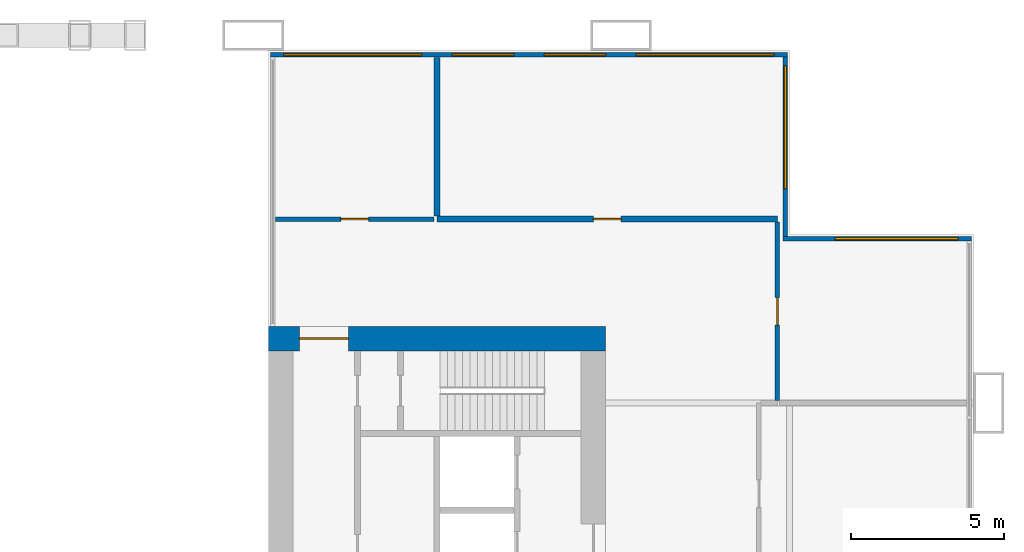
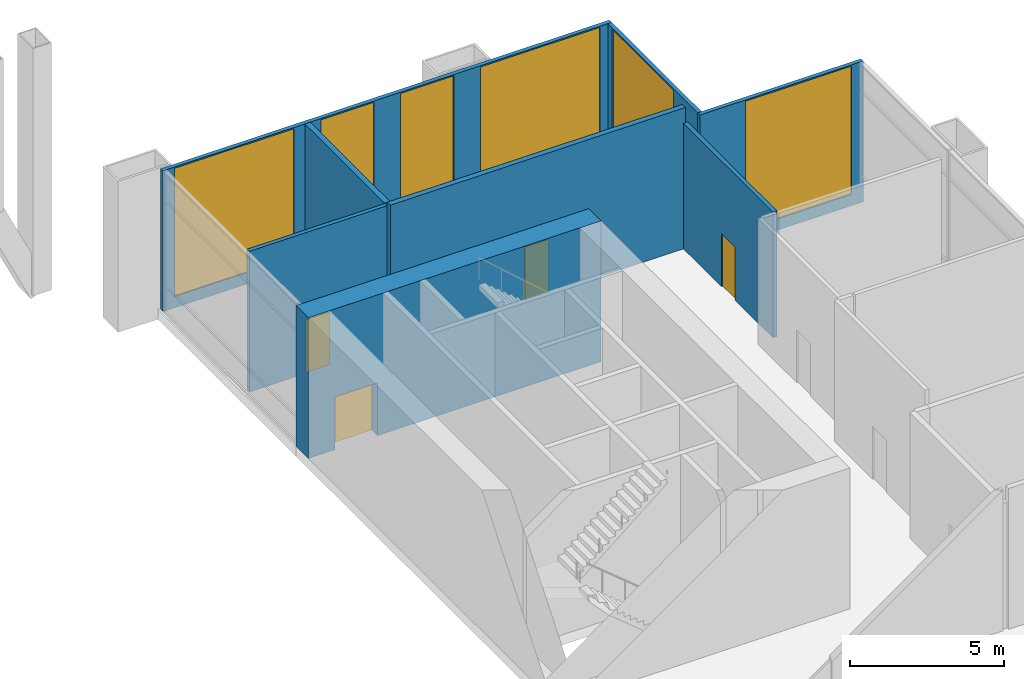
# One storey, part 22 of 25: 8 walls, 6 windows, 4 doors, 10 openings.
"""IFC4 building model written with IfcOpenShell, lengths in metres."""

from ifc_helpers import new_model, si_unit, direction, frame, frame_2d, origin, place, context, subcontext, project, spatial, rectangle, extrude, material, layer, layer_set, type_object, element, fill, save


model = new_model("IFC4")

# Units and contexts
model_context = context("Model", 3, precision=1e-05, world=origin(), true_north=direction((0.0, 1.0)))
body_context = subcontext(model_context, "Body", "Model", "MODEL_VIEW")
ifc_project = project(units=[si_unit("LENGTHUNIT", "METRE"), si_unit("AREAUNIT", "SQUARE_METRE"), si_unit("VOLUMEUNIT", "CUBIC_METRE"), si_unit("PLANEANGLEUNIT", "RADIAN"), si_unit("MASSUNIT", "GRAM", prefix="KILO")], contexts=[model_context])

# Site, building, storey
site_placement = place(None, origin())
site = spatial("IfcSite", under=ifc_project, at=site_placement, CompositionType="ELEMENT")
building_placement = place(site_placement, origin())
building = spatial("IfcBuilding", under=site, at=building_placement, Name="Kitamizu Gate Tower and Museum", CompositionType="ELEMENT")
storey_placement = place(building_placement, frame((0.0, 0.0, 12.0)))
storey = spatial("IfcBuildingStorey", under=building, at=storey_placement, Name="L02", CompositionType="ELEMENT", Elevation=12.0)

# Wall, opening, door
ifc_material_1 = material(Name="Concrete Fc60", Category="concrete")
ifc_layer_1 = layer(ifc_material_1, 0.800048828125)
ifc_layer_set_1 = layer_set([ifc_layer_1], Name="Concrete Fc60")
wall_type_1 = type_object("IfcWallType", Name="Core wall 800", PredefinedType="SHEAR", material=ifc_layer_set_1)
wall_1_placement = place(storey_placement, frame((59.5, 38.10009765625, 0.0), z_axis=(0.0, 0.0, 1.0), x_axis=(-1.0, 0.0, 0.0)))
wall_1 = element("IfcWall", 1, at=wall_1_placement, inside=storey, type_object=wall_type_1, Name="Core wall EN", PredefinedType="SHEAR", context=body_context, shape_type="SweptSolid", body=[
    extrude(rectangle(XDim=11.0, YDim=0.800048828125, at=frame_2d((5.5, 0.0))), origin(), (0.0, 0.0, 1.0), 5.60009765625),
])
opening_1_placement = place(wall_1_placement, frame((8.39990234375, 0.0, 0.0)))
opening_1 = element("IfcOpeningElement", 2, at=opening_1_placement, cuts=wall_1, Name="Opening L02-034", PredefinedType="OPENING", context=body_context, shape_type="SweptSolid", body=[
    extrude(rectangle(XDim=1.60009765625, YDim=2.10009765625, at=frame_2d((0.800048828125, 1.050048828125))), frame((0.0, 0.41015625, 0.0), z_axis=(0.0, -1.0, 0.0), x_axis=(1.0, 0.0, 0.0)), (0.0, 0.0, 1.0), 0.820068359375),
])
ifc_material_2 = material(Name="Timber door set", Category="wood")
door_type_1 = type_object("IfcDoorType", Name="Entrance door 1600", OperationType="DOUBLE_DOOR_SINGLE_SWING", PredefinedType="DOOR", material=ifc_material_2)
door_1_placement = place(opening_1_placement, origin())
door_1 = element("IfcDoor", 3, at=door_1_placement, inside=storey, type_object=door_type_1, Name="Lobby door L02-034", OperationType="DOUBLE_DOOR_SINGLE_SWING", OverallHeight=2.10009765625, OverallWidth=1.60009765625, PredefinedType="DOOR", context=body_context, shape_type="SweptSolid", body=[
    extrude(rectangle(XDim=1.60009765625, YDim=2.10009765625, at=frame_2d((0.800048828125, 1.050048828125))), frame((0.0, 0.02490234375, 0.0), z_axis=(0.0, -1.0, 0.0), x_axis=(1.0, 0.0, 0.0)), (0.0, 0.0, 1.0), 0.050048828125),
])
fill(opening_1, door_1)

ifc_material_3 = material(Name="Gypsum board on galvanised stud")
ifc_layer_2 = layer(ifc_material_3, 0.14990234375)
ifc_layer_set_2 = layer_set([ifc_layer_2], Name="Gypsum board on galvanised stud")
wall_type_2 = type_object("IfcWallType", Name="Partition 150", PredefinedType="PARTITIONING", material=ifc_layer_set_2)
wall_2_placement = place(storey_placement, frame((65.10009765625, 36.074951171875, 0.0), z_axis=(0.0, 0.0, 1.0), x_axis=(0.0, 1.0, 0.0)))
wall_2 = element("IfcWall", 4, at=wall_2_placement, inside=storey, type_object=wall_type_2, Name="Partition L02-020", PredefinedType="PARTITIONING", context=body_context, shape_type="SweptSolid", body=[
    extrude(rectangle(XDim=5.824951171875, YDim=0.14990234375, at=frame_2d((2.91259765625, 0.0))), origin(), (0.0, 0.0, 1.0), 5.0),
])
opening_2_placement = place(wall_2_placement, frame((2.46240234375, 0.0, 0.0)))
opening_2 = element("IfcOpeningElement", 5, at=opening_2_placement, cuts=wall_2, Name="Opening L02-006", PredefinedType="OPENING", context=body_context, shape_type="SweptSolid", body=[
    extrude(rectangle(XDim=0.89990234375, YDim=2.10009765625, at=frame_2d((0.449951171875, 1.050048828125))), frame((0.0, 0.0849609375, 0.0), z_axis=(0.0, -1.0, 0.0), x_axis=(1.0, 0.0, 0.0)), (0.0, 0.0, 1.0), 0.169921875),
])
ifc_material_4 = material(Name="Timber door set", Category="wood")
door_type_2 = type_object("IfcDoorType", Name="Room door 900", OperationType="NOTDEFINED", PredefinedType="DOOR", material=ifc_material_4)
door_2_placement = place(opening_2_placement, frame((0.89990234375, 0.0, 0.0), x_axis=(-1.0, 0.0, 0.0)))
door_2 = element("IfcDoor", 6, at=door_2_placement, inside=storey, type_object=door_type_2, Name="Door L02-006", OperationType="SINGLE_SWING_LEFT", OverallHeight=2.10009765625, OverallWidth=0.89990234375, PredefinedType="DOOR", context=body_context, shape_type="SweptSolid", body=[
    extrude(rectangle(XDim=0.89990234375, YDim=2.10009765625, at=frame_2d((0.449951171875, 1.050048828125))), frame((0.0, 0.02490234375, 0.0), z_axis=(0.0, -1.0, 0.0), x_axis=(1.0, 0.0, 0.0)), (0.0, 0.0, 1.0), 0.050048828125),
])
fill(opening_2, door_2)

wall_3_placement = place(storey_placement, frame((53.89990234375, 42.0, 0.0), z_axis=(0.0, 0.0, 1.0), x_axis=(-1.0, 0.0, 0.0)))
wall_3 = element("IfcWall", 7, at=wall_3_placement, inside=storey, type_object=wall_type_2, Name="Partition L02-021", PredefinedType="PARTITIONING", context=body_context, shape_type="SweptSolid", body=[
    extrude(rectangle(XDim=5.179931640625, YDim=0.14990234375, at=frame_2d((2.58984375, 0.0))), origin(), (0.0, 0.0, 1.0), 5.60009765625),
])
opening_3_placement = place(wall_3_placement, frame((2.139892578125, 0.0, 0.0)))
opening_3 = element("IfcOpeningElement", 8, at=opening_3_placement, cuts=wall_3, Name="Opening L02-007", PredefinedType="OPENING", context=body_context, shape_type="SweptSolid", body=[
    extrude(rectangle(XDim=0.89990234375, YDim=2.10009765625, at=frame_2d((0.449951171875, 1.050048828125))), frame((0.0, 0.0849609375, 0.0), z_axis=(0.0, -1.0, 0.0), x_axis=(1.0, 0.0, 0.0)), (0.0, 0.0, 1.0), 0.169921875),
])
door_3_placement = place(opening_3_placement, frame((0.89990234375, 0.0, 0.0), x_axis=(-1.0, 0.0, 0.0)))
door_3 = element("IfcDoor", 9, at=door_3_placement, inside=storey, type_object=door_type_2, Name="Door L02-007", OperationType="SINGLE_SWING_RIGHT", OverallHeight=2.10009765625, OverallWidth=0.89990234375, PredefinedType="DOOR", context=body_context, shape_type="SweptSolid", body=[
    extrude(rectangle(XDim=0.89990234375, YDim=2.10009765625, at=frame_2d((0.449951171875, 1.050048828125))), frame((0.0, 0.02490234375, 0.0), z_axis=(0.0, -1.0, 0.0), x_axis=(1.0, 0.0, 0.0)), (0.0, 0.0, 1.0), 0.050048828125),
])
fill(opening_3, door_3)

ifc_material_5 = material(Name="Gypsum board on galvanised stud")
ifc_layer_3 = layer(ifc_material_5, 0.199951171875)
ifc_layer_set_3 = layer_set([ifc_layer_3], Name="Gypsum board on galvanised stud")
wall_type_3 = type_object("IfcWallType", Name="Partition 200", PredefinedType="PARTITIONING", material=ifc_layer_set_3)
wall_4_placement = place(storey_placement, frame((65.10009765625, 42.0, 0.0), z_axis=(0.0, 0.0, 1.0), x_axis=(-1.0, 0.0, 0.0)))
wall_4 = element("IfcWall", 10, at=wall_4_placement, inside=storey, type_object=wall_type_3, Name="Partition L02-022", PredefinedType="PARTITIONING", context=body_context, shape_type="SweptSolid", body=[
    extrude(rectangle(XDim=11.10009765625, YDim=0.199951171875, at=frame_2d((5.550048828125, 0.0))), origin(), (0.0, 0.0, 1.0), 5.60009765625),
])
opening_4_placement = place(wall_4_placement, frame((5.10009765625, 0.0, 0.0)))
opening_4 = element("IfcOpeningElement", 11, at=opening_4_placement, cuts=wall_4, Name="Opening L02-008", PredefinedType="OPENING", context=body_context, shape_type="SweptSolid", body=[
    extrude(rectangle(XDim=0.89990234375, YDim=2.10009765625, at=frame_2d((0.449951171875, 1.050048828125))), frame((0.0, 0.10986328125, 0.0), z_axis=(0.0, -1.0, 0.0), x_axis=(1.0, 0.0, 0.0)), (0.0, 0.0, 1.0), 0.219970703125),
])
ifc_material_6 = material(Name="Timber door set", Category="wood")
door_type_3 = type_object("IfcDoorType", Name="Store door 900", OperationType="NOTDEFINED", PredefinedType="DOOR", material=ifc_material_6)
door_4_placement = place(opening_4_placement, frame((0.89990234375, 0.0, 0.0), x_axis=(-1.0, 0.0, 0.0)))
door_4 = element("IfcDoor", 12, at=door_4_placement, inside=storey, type_object=door_type_3, Name="Store door L02-008", OperationType="SINGLE_SWING_LEFT", OverallHeight=2.10009765625, OverallWidth=0.89990234375, PredefinedType="DOOR", context=body_context, shape_type="SweptSolid", body=[
    extrude(rectangle(XDim=0.89990234375, YDim=2.10009765625, at=frame_2d((0.449951171875, 1.050048828125))), frame((0.0, 0.02490234375, 0.0), z_axis=(0.0, -1.0, 0.0), x_axis=(1.0, 0.0, 0.0)), (0.0, 0.0, 1.0), 0.050048828125),
])
fill(opening_4, door_4)

# Wall
wall_5_placement = place(storey_placement, frame((54.0, 42.10009765625, 0.0), z_axis=(0.0, 0.0, 1.0), x_axis=(0.0, 1.0, 0.0)))
element("IfcWall", 13, at=wall_5_placement, inside=storey, type_object=wall_type_3, Name="Partition L02-030", PredefinedType="PARTITIONING", context=body_context, shape_type="SweptSolid", body=[
    extrude(rectangle(XDim=5.179931640625, YDim=0.199951171875, at=frame_2d((2.58984375, 0.0))), origin(), (0.0, 0.0, 1.0), 5.60009765625),
])

# Wall, opening, window
ifc_material_7 = material(Name="Bronze anodised aluminium frame with insulated spandrel and tinted glass", Category="aluminium")
ifc_layer_4 = layer(ifc_material_7, 0.14990234375)
ifc_layer_set_4 = layer_set([ifc_layer_4], Name="Bronze anodised aluminium frame with insulated spandrel and tinted glass")
wall_type_4 = type_object("IfcWallType", Name="WINDOW WALL 150 BRONZE FRAME EI 60", PredefinedType="ELEMENTEDWALL", material=ifc_layer_set_4)
wall_6_placement = place(storey_placement, frame((65.2900390625, 41.364990234375, 0.0), z_axis=(0.0, 0.0, 1.0), x_axis=(1.0, 0.0, 0.0)))
wall_6 = element("IfcWall", 14, at=wall_6_placement, inside=storey, type_object=wall_type_4, Name="Window wall north L02", PredefinedType="ELEMENTEDWALL", context=body_context, shape_type="SweptSolid", body=[
    extrude(rectangle(XDim=6.14990234375, YDim=0.14990234375, at=frame_2d((3.074951171875, 0.0))), origin(), (0.0, 0.0, 1.0), 5.60009765625),
])
opening_5_placement = place(wall_6_placement, frame((1.7099609375, 0.0, 0.449951171875)))
opening_5 = element("IfcOpeningElement", 15, at=opening_5_placement, cuts=wall_6, Name="Opening W22", PredefinedType="OPENING", context=body_context, shape_type="SweptSolid", body=[
    extrude(rectangle(XDim=4.0, YDim=5.10009765625, at=frame_2d((2.0, 2.550048828125))), frame((0.0, 0.0849609375, 0.0), z_axis=(0.0, -1.0, 0.0), x_axis=(1.0, 0.0, 0.0)), (0.0, 0.0, 1.0), 0.169921875),
])
ifc_material_8 = material(Name="Bronze anodised aluminium frame, tinted triple glazing", Category="aluminium")
window_type_1 = type_object("IfcWindowType", Name="WINDOW 4000 x 5100 SILL 450", PartitioningType="SINGLE_PANEL", PredefinedType="WINDOW", material=ifc_material_8)
window_1_placement = place(opening_5_placement, origin())
window_1 = element("IfcWindow", 16, at=window_1_placement, inside=storey, type_object=window_type_1, Name="Window W22 L02", OverallHeight=5.10009765625, OverallWidth=4.0, PartitioningType="SINGLE_PANEL", PredefinedType="WINDOW", context=body_context, shape_type="SweptSolid", body=[
    extrude(rectangle(XDim=4.0, YDim=5.10009765625, at=frame_2d((2.0, 2.550048828125))), frame((0.0, 0.030029296875, 0.0), z_axis=(0.0, -1.0, 0.0), x_axis=(1.0, 0.0, 0.0)), (0.0, 0.0, 1.0), 0.06005859375),
])
fill(opening_5, window_1)

wall_7_placement = place(storey_placement, frame((65.364990234375, 41.43994140625, 0.0), z_axis=(0.0, 0.0, 1.0), x_axis=(0.0, 1.0, 0.0)))
wall_7 = element("IfcWall", 17, at=wall_7_placement, inside=storey, type_object=wall_type_4, Name="Window wall east L02", PredefinedType="ELEMENTEDWALL", context=body_context, shape_type="SweptSolid", body=[
    extrude(rectangle(XDim=5.85009765625, YDim=0.14990234375, at=frame_2d((2.925048828125, 0.0))), origin(), (0.0, 0.0, 1.0), 5.60009765625),
])
opening_6_placement = place(wall_7_placement, frame((1.56005859375, 0.0, 0.449951171875)))
opening_6 = element("IfcOpeningElement", 18, at=opening_6_placement, cuts=wall_7, Name="Opening W22", PredefinedType="OPENING", context=body_context, shape_type="SweptSolid", body=[
    extrude(rectangle(XDim=4.0, YDim=5.10009765625, at=frame_2d((2.0, 2.550048828125))), frame((0.0, 0.0849609375, 0.0), z_axis=(0.0, -1.0, 0.0), x_axis=(1.0, 0.0, 0.0)), (0.0, 0.0, 1.0), 0.169921875),
])
window_2_placement = place(opening_6_placement, origin())
window_2 = element("IfcWindow", 19, at=window_2_placement, inside=storey, type_object=window_type_1, Name="Window W22 L02", OverallHeight=5.10009765625, OverallWidth=4.0, PartitioningType="SINGLE_PANEL", PredefinedType="WINDOW", context=body_context, shape_type="SweptSolid", body=[
    extrude(rectangle(XDim=4.0, YDim=5.10009765625, at=frame_2d((2.0, 2.550048828125))), frame((0.0, 0.030029296875, 0.0), z_axis=(0.0, -1.0, 0.0), x_axis=(1.0, 0.0, 0.0)), (0.0, 0.0, 1.0), 0.06005859375),
])
fill(opening_6, window_2)

# Wall, openings, windows
wall_8_placement = place(storey_placement, frame((48.56005859375, 47.364990234375, 0.0), z_axis=(0.0, 0.0, 1.0), x_axis=(1.0, 0.0, 0.0)))
wall_8 = element("IfcWall", 20, at=wall_8_placement, inside=storey, type_object=wall_type_4, Name="Window wall north L02", PredefinedType="ELEMENTEDWALL", context=body_context, shape_type="SweptSolid", body=[
    extrude(rectangle(XDim=16.8798828125, YDim=0.14990234375, at=frame_2d((8.43994140625, 0.0))), origin(), (0.0, 0.0, 1.0), 5.60009765625),
])
opening_7_placement = place(wall_8_placement, frame((0.43994140625, 0.0, 0.449951171875)))
opening_7 = element("IfcOpeningElement", 21, at=opening_7_placement, cuts=wall_8, Name="Opening W21", PredefinedType="OPENING", context=body_context, shape_type="SweptSolid", body=[
    extrude(rectangle(XDim=4.5, YDim=5.10009765625, at=frame_2d((2.25, 2.550048828125))), frame((0.0, 0.0849609375, 0.0), z_axis=(0.0, -1.0, 0.0), x_axis=(1.0, 0.0, 0.0)), (0.0, 0.0, 1.0), 0.169921875),
])
opening_8_placement = place(wall_8_placement, frame((5.93994140625, 0.0, 0.449951171875)))
opening_8 = element("IfcOpeningElement", 22, at=opening_8_placement, cuts=wall_8, Name="Opening W8", PredefinedType="OPENING", context=body_context, shape_type="SweptSolid", body=[
    extrude(rectangle(XDim=2.0, YDim=5.10009765625, at=frame_2d((1.0, 2.550048828125))), frame((0.0, 0.0849609375, 0.0), z_axis=(0.0, -1.0, 0.0), x_axis=(1.0, 0.0, 0.0)), (0.0, 0.0, 1.0), 0.169921875),
])
opening_9_placement = place(wall_8_placement, frame((8.93994140625, 0.0, 0.449951171875)))
opening_9 = element("IfcOpeningElement", 23, at=opening_9_placement, cuts=wall_8, Name="Opening W8", PredefinedType="OPENING", context=body_context, shape_type="SweptSolid", body=[
    extrude(rectangle(XDim=2.0, YDim=5.10009765625, at=frame_2d((1.0, 2.550048828125))), frame((0.0, 0.0849609375, 0.0), z_axis=(0.0, -1.0, 0.0), x_axis=(1.0, 0.0, 0.0)), (0.0, 0.0, 1.0), 0.169921875),
])
opening_10_placement = place(wall_8_placement, frame((11.93994140625, 0.0, 0.449951171875)))
opening_10 = element("IfcOpeningElement", 24, at=opening_10_placement, cuts=wall_8, Name="Opening W21", PredefinedType="OPENING", context=body_context, shape_type="SweptSolid", body=[
    extrude(rectangle(XDim=4.5, YDim=5.10009765625, at=frame_2d((2.25, 2.550048828125))), frame((0.0, 0.0849609375, 0.0), z_axis=(0.0, -1.0, 0.0), x_axis=(1.0, 0.0, 0.0)), (0.0, 0.0, 1.0), 0.169921875),
])
ifc_material_9 = material(Name="Bronze anodised aluminium frame, tinted triple glazing", Category="aluminium")
window_type_2 = type_object("IfcWindowType", Name="WINDOW 2000 x 5100 SILL 450", PartitioningType="SINGLE_PANEL", PredefinedType="WINDOW", material=ifc_material_9)
window_3_placement = place(opening_8_placement, origin())
window_3 = element("IfcWindow", 25, at=window_3_placement, inside=storey, type_object=window_type_2, Name="Window W8 L02", OverallHeight=5.10009765625, OverallWidth=2.0, PartitioningType="SINGLE_PANEL", PredefinedType="WINDOW", context=body_context, shape_type="SweptSolid", body=[
    extrude(rectangle(XDim=2.0, YDim=5.10009765625, at=frame_2d((1.0, 2.550048828125))), frame((0.0, 0.030029296875, 0.0), z_axis=(0.0, -1.0, 0.0), x_axis=(1.0, 0.0, 0.0)), (0.0, 0.0, 1.0), 0.06005859375),
])
fill(opening_8, window_3)
window_4_placement = place(opening_9_placement, origin())
window_4 = element("IfcWindow", 26, at=window_4_placement, inside=storey, type_object=window_type_2, Name="Window W8 L02", OverallHeight=5.10009765625, OverallWidth=2.0, PartitioningType="SINGLE_PANEL", PredefinedType="WINDOW", context=body_context, shape_type="SweptSolid", body=[
    extrude(rectangle(XDim=2.0, YDim=5.10009765625, at=frame_2d((1.0, 2.550048828125))), frame((0.0, 0.030029296875, 0.0), z_axis=(0.0, -1.0, 0.0), x_axis=(1.0, 0.0, 0.0)), (0.0, 0.0, 1.0), 0.06005859375),
])
fill(opening_9, window_4)
ifc_material_10 = material(Name="Bronze anodised aluminium frame, tinted triple glazing", Category="aluminium")
window_type_3 = type_object("IfcWindowType", Name="WINDOW 4500 x 5100 SILL 450", PartitioningType="SINGLE_PANEL", PredefinedType="WINDOW", material=ifc_material_10)
window_5_placement = place(opening_7_placement, origin())
window_5 = element("IfcWindow", 27, at=window_5_placement, inside=storey, type_object=window_type_3, Name="Window W21 L02", OverallHeight=5.10009765625, OverallWidth=4.5, PartitioningType="SINGLE_PANEL", PredefinedType="WINDOW", context=body_context, shape_type="SweptSolid", body=[
    extrude(rectangle(XDim=4.5, YDim=5.10009765625, at=frame_2d((2.25, 2.550048828125))), frame((0.0, 0.030029296875, 0.0), z_axis=(0.0, -1.0, 0.0), x_axis=(1.0, 0.0, 0.0)), (0.0, 0.0, 1.0), 0.06005859375),
])
fill(opening_7, window_5)
window_6_placement = place(opening_10_placement, origin())
window_6 = element("IfcWindow", 28, at=window_6_placement, inside=storey, type_object=window_type_3, Name="Window W21 L02", OverallHeight=5.10009765625, OverallWidth=4.5, PartitioningType="SINGLE_PANEL", PredefinedType="WINDOW", context=body_context, shape_type="SweptSolid", body=[
    extrude(rectangle(XDim=4.5, YDim=5.10009765625, at=frame_2d((2.25, 2.550048828125))), frame((0.0, 0.030029296875, 0.0), z_axis=(0.0, -1.0, 0.0), x_axis=(1.0, 0.0, 0.0)), (0.0, 0.0, 1.0), 0.06005859375),
])
fill(opening_10, window_6)

save(model, "model.ifc")
